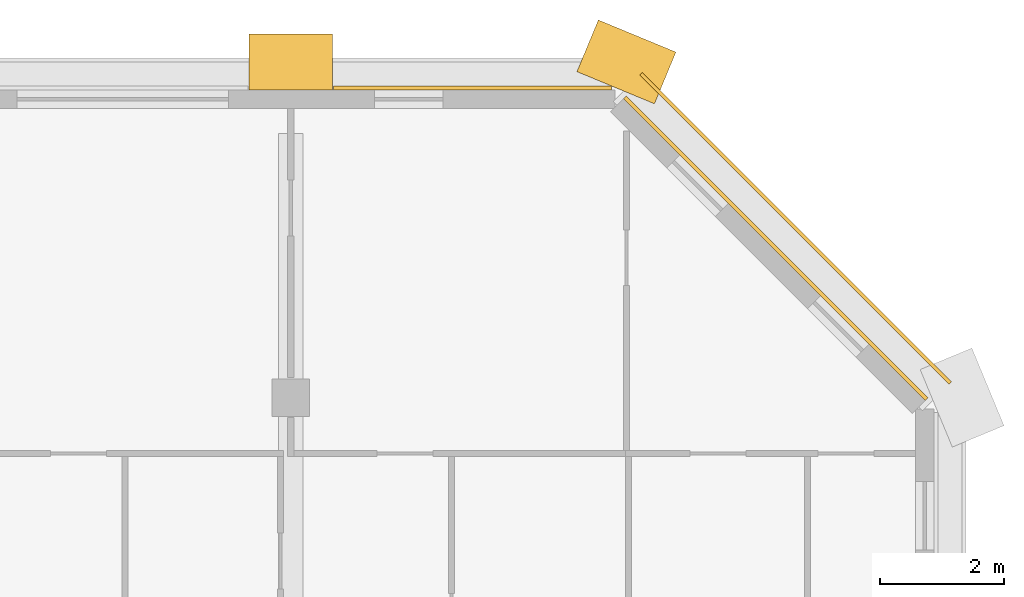
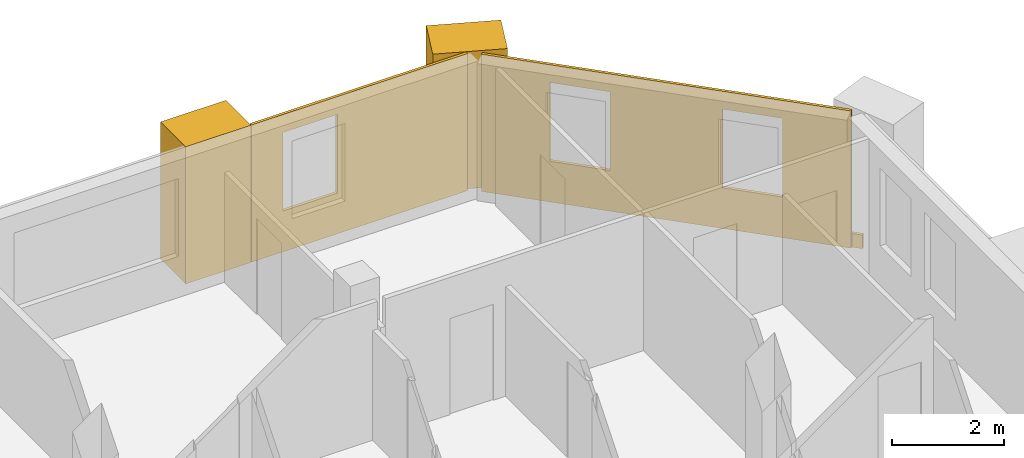
# One storey, part 13 of 13: 5 coverings.
"""IFC4 building model written with IfcOpenShell, lengths in metres."""

import ifcopenshell
import ifcopenshell.guid

model = None  # the IFC model being written
_history = None  # IfcOwnerHistory: only IFC2X3 demands one
_inside = {}  # id of a spatial element -> (the spatial element, [elements in it])
_under = {}  # id of a project, library or spatial element -> (it, [spatial elements below it])
_declared = {}  # id of a project -> (the project, [libraries it declares])
_typed = {}  # id of a type object -> (the type object, [elements of that type])
_made_of = {}  # id of a material, layer set ... -> (it, [elements and type objects made of it])


def new_model(schema):
    """Start an empty IFC model of exactly this schema.

    Asked for "IFC4X3", IfcOpenShell would pick the latest addendum, in which some entities
    have other attributes; the version numbers below select the first issue.
    IFC2X3 requires an IfcOwnerHistory on every rooted entity: one is made here for all.
    """
    global model, _history
    if schema == "IFC4X3":
        model = ifcopenshell.file(schema_version=(4, 3, 0, 0))
    else:
        model = ifcopenshell.file(schema=schema)
    _inside.clear()
    _under.clear()
    _declared.clear()
    _typed.clear()
    _made_of.clear()
    _history = None
    if model.schema == "IFC2X3":
        org = make("IfcOrganization", Name="unknown")
        user = make(
            "IfcPersonAndOrganization",
            ThePerson=make("IfcPerson", FamilyName="unknown"),
            TheOrganization=org,
        )
        app = make(
            "IfcApplication",
            ApplicationDeveloper=org,
            Version="unknown",
            ApplicationFullName="unknown",
            ApplicationIdentifier="unknown",
        )
        _history = make(
            "IfcOwnerHistory",
            OwningUser=user,
            OwningApplication=app,
            ChangeAction="ADDED",
            CreationDate=0,
        )
    return model


def make(cls, **values):
    """One entity of the class cls with the attributes given. An attribute that is None is left unset."""
    return model.create_entity(
        cls, **{name: value for name, value in values.items() if value is not None}
    )


def rooted(cls, **values):
    """An entity with a GlobalId (a new one), such as an element, a storey or a relation."""
    return make(cls, GlobalId=ifcopenshell.guid.new(), OwnerHistory=_history, **values)


def si_unit(unit_type, name, prefix=None):
    """IfcSIUnit, for example si_unit("LENGTHUNIT", "METRE", prefix="MILLI")."""
    return make("IfcSIUnit", UnitType=unit_type, Prefix=prefix, Name=name)


def assignment(units):
    """IfcUnitAssignment: the units of a project."""
    return None if units is None else make("IfcUnitAssignment", Units=units)


def point(xyz):
    """IfcCartesianPoint."""
    return None if xyz is None else make("IfcCartesianPoint", Coordinates=xyz)


def direction(xyz):
    """IfcDirection."""
    return None if xyz is None else make("IfcDirection", DirectionRatios=xyz)


def frame(location, z_axis=None, x_axis=None):
    """IfcAxis2Placement3D, a coordinate frame: its origin and axes. An axis left out is left unset."""
    return make(
        "IfcAxis2Placement3D",
        Location=point(location),
        Axis=direction(z_axis),
        RefDirection=direction(x_axis),
    )


def frame_2d(location, x_axis=None):
    """IfcAxis2Placement2D, a coordinate frame in the plane: its origin and x axis."""
    return make(
        "IfcAxis2Placement2D", Location=point(location), RefDirection=direction(x_axis)
    )


def origin():
    """The frame at (0, 0, 0) with its axes left unset."""
    return frame((0.0, 0.0, 0.0))


def place(relative_to, where):
    """IfcLocalPlacement: puts the frame where relative to a parent placement (None: the world)."""
    return make(
        "IfcLocalPlacement", PlacementRelTo=relative_to, RelativePlacement=where
    )


def context(
    kind, dimensions, precision=None, world=None, true_north=None, identifier=None
):
    """IfcGeometricRepresentationContext, for example the 3D "Model" context."""
    return make(
        "IfcGeometricRepresentationContext",
        ContextIdentifier=identifier,
        ContextType=kind,
        CoordinateSpaceDimension=dimensions,
        Precision=precision,
        WorldCoordinateSystem=world,
        TrueNorth=true_north,
    )


def subcontext(parent, identifier, kind, view, scale=None):
    """IfcGeometricRepresentationSubContext, for example "Body" below "Model"."""
    return make(
        "IfcGeometricRepresentationSubContext",
        ContextIdentifier=identifier,
        ContextType=kind,
        ParentContext=parent,
        TargetScale=scale,
        TargetView=view,
    )


def project(units=None, contexts=None):
    """IfcProject with its units and contexts."""
    return rooted(
        "IfcProject",
        Name="project",
        RepresentationContexts=contexts,
        UnitsInContext=assignment(units),
    )


def spatial(cls, under=None, at=None, **own):
    """A site, building, storey or space (cls), placed at a placement, below another one or the project."""
    s = rooted(cls, ObjectPlacement=at, **own)
    if under is not None:
        _under.setdefault(under.id(), (under, []))[1].append(s)
    return s


def polyline(points):
    """IfcPolyline through the points."""
    return make("IfcPolyline", Points=[point(p) for p in points])


def profile(cls, at=None, kind="AREA", **sizes):
    """A parametric profile (cls). Its sizes go by their IFC names, for example OverallWidth=200.0."""
    return make(cls, ProfileType=kind, Position=at, **sizes)


def rectangle(**sizes):
    """IfcRectangleProfileDef."""
    return profile("IfcRectangleProfileDef", **sizes)


def outline(outer, holes=None, kind="AREA"):
    """IfcArbitraryClosedProfileDef: a profile drawn as a closed curve; with holes, ...WithVoids."""
    if holes is None:
        return make("IfcArbitraryClosedProfileDef", ProfileType=kind, OuterCurve=outer)
    return make(
        "IfcArbitraryProfileDefWithVoids",
        ProfileType=kind,
        OuterCurve=outer,
        InnerCurves=holes,
    )


def extrude(swept, where, along, depth):
    """IfcExtrudedAreaSolid: the profile swept, set in the frame where, extruded along a direction by depth."""
    return make(
        "IfcExtrudedAreaSolid",
        SweptArea=swept,
        Position=where,
        ExtrudedDirection=direction(along),
        Depth=depth,
    )


def shape(context_of_items, identifier, shape_type, items):
    """IfcShapeRepresentation: the items that make up one representation, for example the "Body"."""
    return make(
        "IfcShapeRepresentation",
        ContextOfItems=context_of_items,
        RepresentationIdentifier=identifier,
        RepresentationType=shape_type,
        Items=items,
    )


def material(Name=None, Category=None):
    """IfcMaterial."""
    return make("IfcMaterial", Name=Name, Category=Category)


def layer(
    of_material, thickness, ventilated=None, Name=None, Category=None, Priority=None
):
    """IfcMaterialLayer: one layer of a wall or slab, of a material (None: an air gap)."""
    return make(
        "IfcMaterialLayer",
        Material=of_material,
        LayerThickness=thickness,
        IsVentilated=ventilated,
        Name=Name,
        Category=Category,
        Priority=Priority,
    )


def layer_set(layers, Name=None):
    """IfcMaterialLayerSet."""
    return make("IfcMaterialLayerSet", MaterialLayers=layers, LayerSetName=Name)


def made_of(thing, what):
    """Note that an element or type object is made of a material, layer set ...; save() writes the relation."""
    if what is not None:
        _made_of.setdefault(what.id(), (what, []))[1].append(thing)
    return thing


def type_object(cls, material=None, **own):
    """A type object (cls), such as IfcWallType, which elements share."""
    return made_of(rooted(cls, **own), material)


def element(
    cls,
    number,
    at=None,
    inside=None,
    cuts=None,
    type_object=None,
    material=None,
    context=None,
    identifier="Body",
    shape_type=None,
    held_by="IfcProductDefinitionShape",
    body=None,
    shapes=None,
    **own,
):
    """One element of the class cls, such as IfcWall. Its Tag is "e" and its number.

    at: its placement. inside: the storey or other place that contains it. cuts: it is an
    opening in that element (IfcRelVoidsElement). A single representation is given by context,
    identifier, shape_type and body (its items); several are given by shapes. held_by: the class
    of the entity that holds the representations. save() writes the other relations.
    """
    e = rooted(cls, Tag="e%d" % number, ObjectPlacement=at, **own)
    if body is not None:
        shapes = [shape(context, identifier, shape_type, body)]
    if shapes is not None:
        e.Representation = make(held_by, Representations=shapes)
    if inside is not None:
        _inside.setdefault(inside.id(), (inside, []))[1].append(e)
    if cuts is not None:
        rooted(
            "IfcRelVoidsElement", RelatingBuildingElement=cuts, RelatedOpeningElement=e
        )
    if type_object is not None:
        _typed.setdefault(type_object.id(), (type_object, []))[1].append(e)
    return made_of(e, material)


def aggregate(whole, parts):
    """IfcRelAggregates: a whole, such as a stair, and the parts it consists of."""
    return rooted("IfcRelAggregates", RelatingObject=whole, RelatedObjects=parts)


def save(model, path):
    """Write the relations noted so far, then the file.

    IfcRelAggregates (storeys below a building ...), IfcRelContainedInSpatialStructure (elements
    in a storey), IfcRelDefinesByType, IfcRelAssociatesMaterial and IfcRelDeclares: one each for
    every whole, place, type object, material and project.
    """
    for whole, parts in _under.values():
        aggregate(whole, parts)
    for where, things in _inside.values():
        rooted(
            "IfcRelContainedInSpatialStructure",
            RelatedElements=things,
            RelatingStructure=where,
        )
    for kind, things in _typed.values():
        rooted("IfcRelDefinesByType", RelatedObjects=things, RelatingType=kind)
    for what, things in _made_of.values():
        rooted("IfcRelAssociatesMaterial", RelatedObjects=things, RelatingMaterial=what)
    for by, libraries in _declared.values():
        rooted("IfcRelDeclares", RelatingContext=by, RelatedDefinitions=libraries)
    model.write(path)


model = new_model("IFC4")

# Units and contexts
model_context = context("Model", 3, precision=1e-05, world=origin(), true_north=direction((0.0, 1.0)))
body_context = subcontext(model_context, "Body", "Model", "MODEL_VIEW")
ifc_project = project(units=[si_unit("LENGTHUNIT", "METRE"), si_unit("AREAUNIT", "SQUARE_METRE"), si_unit("VOLUMEUNIT", "CUBIC_METRE"), si_unit("PLANEANGLEUNIT", "RADIAN"), si_unit("MASSUNIT", "GRAM", prefix="KILO")], contexts=[model_context])

# Site, building, storey
site_placement = place(None, origin())
site = spatial("IfcSite", under=ifc_project, at=site_placement, CompositionType="ELEMENT")
building_placement = place(site_placement, origin())
building = spatial("IfcBuilding", under=site, at=building_placement, Name="Tabaq Tower and Sports Hall", CompositionType="ELEMENT")
storey_placement = place(building_placement, frame((0.0, 0.0, 298.300048828125)))
storey = spatial("IfcBuildingStorey", under=building, at=storey_placement, Name="L74", CompositionType="ELEMENT", Elevation=298.300048828125)

# Coverings
ifc_material_1 = material(Name="Precast concrete C60/75", Category="concrete")
ifc_layer_1 = layer(ifc_material_1, 0.06005859375)
ifc_layer_set_1 = layer_set([ifc_layer_1], Name="Edge beam cladding 60")
covering_type_1 = type_object("IfcCoveringType", Name="Edge beam cladding 60", PredefinedType="CLADDING", material=ifc_layer_set_1)
covering_1_placement = place(storey_placement, frame((48.41015625, 43.432373046875, -0.300048828125), z_axis=(0.0, 0.0, 1.0), x_axis=(-0.707106781187, 0.707106781187, 0.0)))
element("IfcCovering", 1, at=covering_1_placement, inside=storey, type_object=covering_type_1, Name="Edge beam cladding L74 3", PredefinedType="CLADDING", context=body_context, shape_type="SweptSolid", body=[
    extrude(rectangle(XDim=7.03955078125, YDim=0.06005859375, at=frame_2d((3.519775390625, 0.0))), origin(), (0.0, 0.0, 1.0), 0.300048828125),
])
ifc_material_2 = material(Name="White precast concrete C60/75", Category="concrete")
covering_type_2 = type_object("IfcCoveringType", Name="Pier cladding hung 1350x900", PredefinedType="CLADDING", material=ifc_material_2)
for number, where, z_axis, x_axis, name in (
    (2, (38.47509765625, 48.60009765625, 0.0), (0.0, 0.0, 1.0), (-1.0, 0.0, 0.0), "Hung pier cladding 7/9"),
    (3, (43.82373046875, 48.341796875, 0.0), (0.0, 0.0, 1.0), (-0.923893411637, 0.382649923473, 0.0), "Hung pier cladding 8/9"),
):
    element("IfcCovering", number, at=place(storey_placement, frame(where, z_axis=z_axis, x_axis=x_axis)), inside=storey, type_object=covering_type_2, Name=name, PredefinedType="CLADDING", context=body_context, shape_type="SweptSolid", body=[
        extrude(rectangle(XDim=1.35009765625, YDim=0.89990234375, at=frame_2d((0.675048828125, 0.0))), origin(), (0.0, 0.0, 1.0), 3.0),
    ])
ifc_material_3 = material(Name="Precast concrete C60/75", Category="concrete")
ifc_layer_2 = layer(ifc_material_3, 0.06005859375)
ifc_layer_set_2 = layer_set([ifc_layer_2], Name="White precast cladding panel 60 C60/75")
covering_type_3 = type_object("IfcCoveringType", Name="White precast cladding panel 60 C60/75", PredefinedType="CLADDING", material=ifc_layer_set_2)
covering_2_placement = place(storey_placement, frame((48.0283203125, 43.177734375, 0.0), z_axis=(0.0, 0.0, 1.0), x_axis=(-0.707106781187, 0.707106781187, 0.0)))
element("IfcCovering", 4, at=covering_2_placement, inside=storey, type_object=covering_type_3, Name="White precast cladding panel L74 wall03", PredefinedType="CLADDING", context=body_context, shape_type="SweptSolid", body=[
    extrude(outline(polyline([(0.0, 0.0), (6.85986328125, 0.0), (6.85986328125, 3.0), (0.0, 3.0), (0.0, 0.0)]), holes=[polyline([(1.269775390625, 2.60986328125), (2.389892578125, 2.60986328125), (2.389892578125, 0.889892578125), (1.269775390625, 0.889892578125), (1.269775390625, 2.60986328125)]), polyline([(4.4697265625, 2.60986328125), (5.58984375, 2.60986328125), (5.58984375, 0.889892578125), (4.4697265625, 0.889892578125), (4.4697265625, 2.60986328125)])]), frame((0.0, 0.030029296875, 0.0), z_axis=(0.0, -1.0, 0.0), x_axis=(1.0, 0.0, 0.0)), (0.0, 0.0, 1.0), 0.06005859375),
])
covering_3_placement = place(storey_placement, frame((42.956787109375, 48.179931640625, 0.0), z_axis=(0.0, 0.0, 1.0), x_axis=(-1.0, 0.0, 0.0)))
element("IfcCovering", 5, at=covering_3_placement, inside=storey, type_object=covering_type_3, Name="White precast cladding panel L74 wall04", PredefinedType="CLADDING", context=body_context, shape_type="SweptSolid", body=[
    extrude(outline(polyline([(0.0, 0.0), (4.4716796875, 0.0), (4.4716796875, 3.0), (0.0, 3.0), (0.0, 0.0)]), holes=[polyline([(2.69677734375, 0.889892578125), (2.69677734375, 2.60986328125), (3.81689453125, 2.60986328125), (3.81689453125, 0.889892578125), (2.69677734375, 0.889892578125)])]), frame((0.0, 0.030029296875, 0.0), z_axis=(0.0, -1.0, 0.0), x_axis=(1.0, 0.0, 0.0)), (0.0, 0.0, 1.0), 0.06005859375),
])

save(model, "model.ifc")
